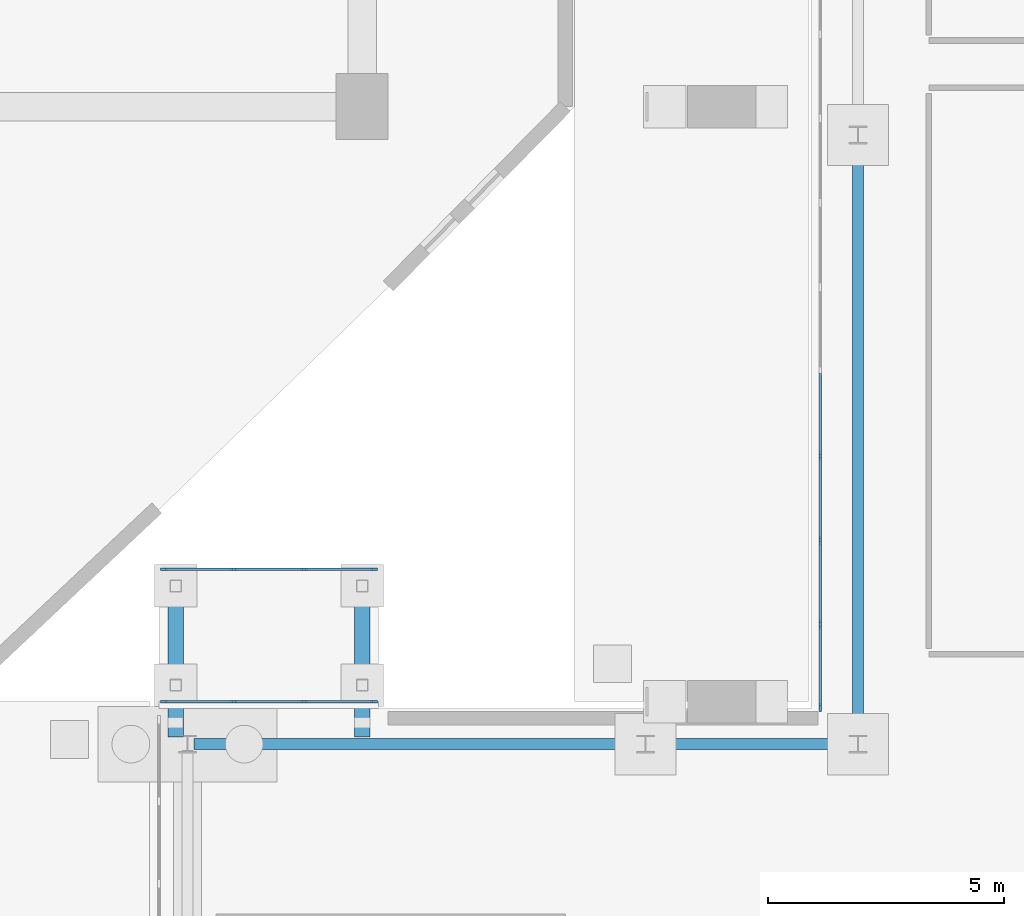
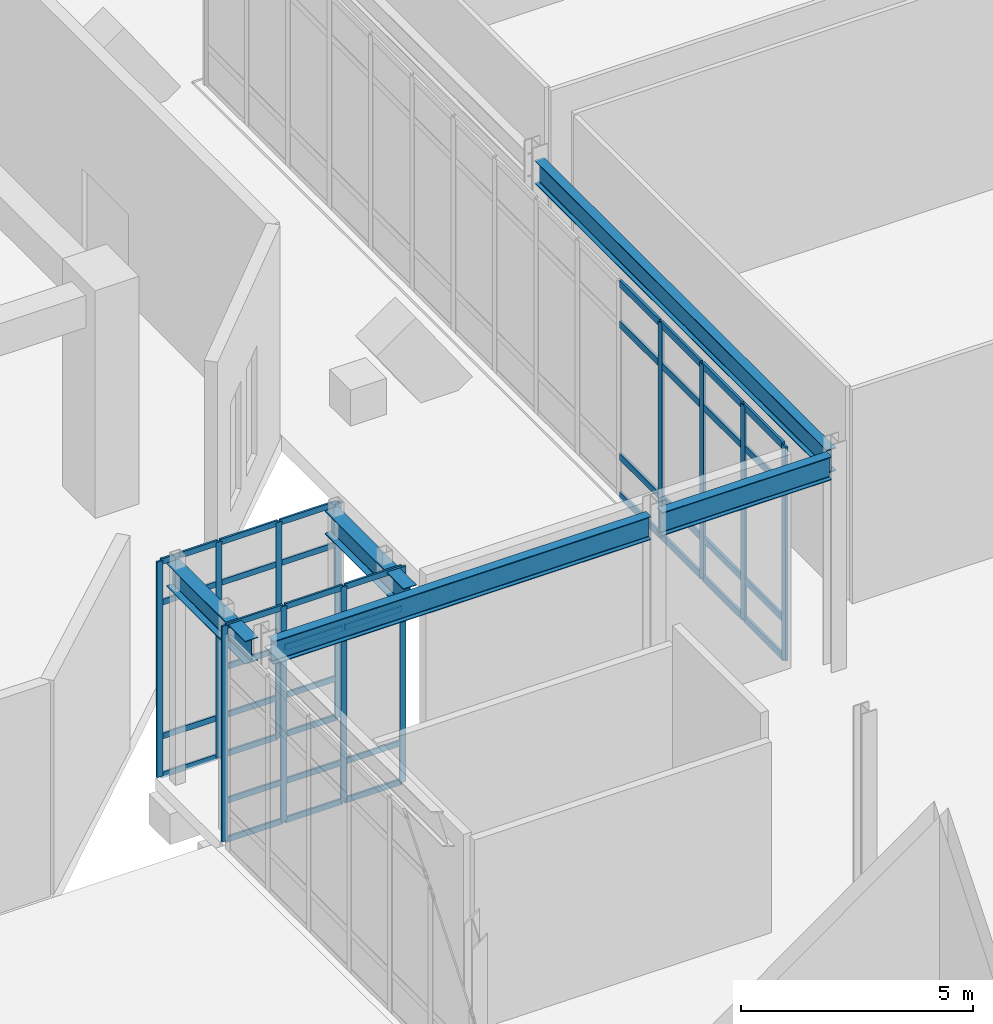
# One storey, part 35 of 143: 52 members, 5 beams, 3 elements without a shape of their own.
"""IFC4 building model written with IfcOpenShell, lengths in metres."""

from ifc_helpers import new_model, si_unit, derived_unit, direction, frame, origin, origin_2d, place, context, subcontext, project, spatial, rectangle, i_section, extrude, material, layer, layer_set, material_profile, profile_set, type_object, element, aggregate, save


model = new_model("IFC4")

# Units and contexts
model_context = context("Model", 3, precision=1e-05, world=origin(), true_north=direction((0.0, 1.0)))
body_context = subcontext(model_context, "Body", "Model", "MODEL_VIEW")
ifc_project = project(units=[si_unit("LENGTHUNIT", "METRE"), si_unit("AREAUNIT", "SQUARE_METRE"), si_unit("VOLUMEUNIT", "CUBIC_METRE"), si_unit("PLANEANGLEUNIT", "RADIAN"), si_unit("MASSUNIT", "GRAM", prefix="KILO"), derived_unit("THERMALTRANSMITTANCEUNIT", [(si_unit("MASSUNIT", "GRAM", prefix="KILO"), 1), (si_unit("TIMEUNIT", "SECOND"), -3), (si_unit("THERMODYNAMICTEMPERATUREUNIT", "KELVIN"), -1)])], contexts=[model_context])

# Site, building, storey
site_placement = place(None, origin())
site = spatial("IfcSite", under=ifc_project, at=site_placement, CompositionType="ELEMENT")
building_placement = place(site_placement, origin())
building = spatial("IfcBuilding", under=site, at=building_placement, Name="Valcora Ridge Arena", CompositionType="ELEMENT")
storey_placement = place(building_placement, origin())
storey = spatial("IfcBuildingStorey", under=building, at=storey_placement, Name="L00", CompositionType="ELEMENT", Elevation=0.0)

# Beams
ifc_material_1 = material(Name="Steel ASTM A572 Grade 50", Category="steel")
ifc_material_profile_1 = material_profile(ifc_material_1, i_section(OverallWidth=0.324951171875, OverallDepth=0.612060546875, WebThickness=0.0126953125, FlangeThickness=0.01904296875, FilletRadius=0.01806640625, at=origin_2d()), Name="W24X104")
ifc_profile_set_1 = profile_set([ifc_material_profile_1], Name="Steel ASTM A572 Grade 50")
beam_type_1 = type_object("IfcBeamType", Name="TY-BEAM-B-SJ1", PredefinedType="BEAM", material=ifc_profile_set_1)
for number, where, z_axis, x_axis, name in (
    (1, (98.550048828125, 19.25, 5.3740234375), (0.0, 1.0, 0.0), (-1.0, 0.0, 0.0), "B-SJ1 BEM-SJ-B-SJ1-0001"),
    (2, (102.5, 19.25, 5.3740234375), (0.0, 1.0, 0.0), (-1.0, 0.0, 0.0), "B-SJ1 BEM-SJ-B-SJ1-0002"),
):
    element("IfcBeam", number, at=place(storey_placement, frame(where, z_axis=z_axis, x_axis=x_axis)), inside=storey, type_object=beam_type_1, Name=name, PredefinedType="BEAM", context=body_context, shape_type="SweptSolid", body=[
        extrude(i_section(OverallWidth=0.324951171875, OverallDepth=0.612060546875, WebThickness=0.0126953125, FlangeThickness=0.01904296875, FilletRadius=0.01806640625, at=origin_2d()), origin(), (0.0, 0.0, 1.0), 3.39990234375),
    ])
ifc_material_profile_2 = material_profile(ifc_material_1, i_section(OverallWidth=0.22900390625, OverallDepth=0.612060546875, WebThickness=0.011962890625, FlangeThickness=0.01953125, FilletRadius=0.01806640625, at=origin_2d()), Name="W24X84")
ifc_profile_set_2 = profile_set([ifc_material_profile_2], Name="Steel ASTM A572 Grade 50")
beam_type_2 = type_object("IfcBeamType", Name="TY-BEAM-G-W24X84-X", PredefinedType="BEAM", material=ifc_profile_set_2)
beam_1_placement = place(storey_placement, frame((98.93994140625, 19.10009765625, 5.333984375), z_axis=(1.0, 0.0, 0.0), x_axis=(0.0, 1.0, 0.0)))
element("IfcBeam", 3, at=beam_1_placement, inside=storey, type_object=beam_type_2, Name="G-W24X84-X BEM-G-W24X84-X-0002", PredefinedType="BEAM", context=body_context, shape_type="SweptSolid", body=[
    extrude(i_section(OverallWidth=0.22900390625, OverallDepth=0.612060546875, WebThickness=0.011962890625, FlangeThickness=0.01953125, FilletRadius=0.01806640625, at=origin_2d()), origin(), (0.0, 0.0, 1.0), 9.420166015625),
])
beam_2_placement = place(storey_placement, frame((108.639892578125, 19.10009765625, 5.333984375), z_axis=(1.0, 0.0, 0.0), x_axis=(0.0, 1.0, 0.0)))
element("IfcBeam", 4, at=beam_2_placement, inside=storey, type_object=beam_type_2, Name="G-W24X84-X BEM-G-W24X84-X-0003", PredefinedType="BEAM", context=body_context, shape_type="SweptSolid", body=[
    extrude(i_section(OverallWidth=0.22900390625, OverallDepth=0.612060546875, WebThickness=0.011962890625, FlangeThickness=0.01953125, FilletRadius=0.01806640625, at=origin_2d()), origin(), (0.0, 0.0, 1.0), 4.22021484375),
])
ifc_material_profile_3 = material_profile(ifc_material_1, i_section(OverallWidth=0.22900390625, OverallDepth=0.612060546875, WebThickness=0.011962890625, FlangeThickness=0.01953125, FilletRadius=0.01806640625, at=origin_2d()), Name="W24X84")
ifc_profile_set_3 = profile_set([ifc_material_profile_3], Name="Steel ASTM A572 Grade 50")
beam_type_3 = type_object("IfcBeamType", Name="TY-BEAM-G-W24X84-Y", PredefinedType="BEAM", material=ifc_profile_set_3)
beam_3_placement = place(storey_placement, frame((113.0, 19.239990234375, 5.333984375), z_axis=(0.0, 1.0, 0.0), x_axis=(-1.0, 0.0, 0.0)))
element("IfcBeam", 5, at=beam_3_placement, inside=storey, type_object=beam_type_3, Name="G-W24X84-Y BEM-G-W24X84-Y-0003", PredefinedType="BEAM", context=body_context, shape_type="SweptSolid", body=[
    extrude(i_section(OverallWidth=0.22900390625, OverallDepth=0.612060546875, WebThickness=0.011962890625, FlangeThickness=0.01953125, FilletRadius=0.01806640625, at=origin_2d()), origin(), (0.0, 0.0, 1.0), 12.6201171875),
])

# Curtain wall, members
ifc_material_2 = material(Name="Anodised dark bronze architectural aluminium 6063-T6", Category="aluminium")
ifc_layer_1 = layer(ifc_material_2, 0.14990234375, Name="Anodised dark bronze architectural aluminium 6063-T6")
ifc_layer_set_1 = layer_set([ifc_layer_1], Name="Anodised dark bronze architectural aluminium 6063-T6")
curtain_wall_type_1 = type_object("IfcCurtainWallType", Name="TY-CURTAINWALL-CW-BRG-045X57", PredefinedType="NOTDEFINED", material=ifc_layer_set_1)
curtain_wall_1_placement = place(storey_placement, origin())
curtain_wall_1 = element("IfcCurtainWall", 6, at=curtain_wall_1_placement, inside=storey, type_object=curtain_wall_type_1, Name="CW-BRG-045X57 CW-0346", PredefinedType="NOTDEFINED")
ifc_material_profile_4 = material_profile(ifc_material_2, rectangle(XDim=0.050048828125, YDim=0.14990234375, at=origin_2d()), Name="ALU MULLION 50x150")
ifc_profile_set_4 = profile_set([ifc_material_profile_4], Name="Anodised dark bronze architectural aluminium 6063-T6")
member_type_1 = type_object("IfcMemberType", Name="TY-MEM-CWM-50x150", PredefinedType="MULLION", material=ifc_profile_set_4)
member_1_placement = place(storey_placement, frame((98.304931640625, 20.0, 0.0), z_axis=(0.0, 0.0, 1.0), x_axis=(0.0, 1.0, 0.0)))
member_1 = element("IfcMember", 7, at=member_1_placement, type_object=member_type_1, Name="CW-0346/CWM-50x150/M00", PredefinedType="MULLION", context=body_context, shape_type="SweptSolid", body=[
    extrude(rectangle(XDim=0.050048828125, YDim=0.14990234375, at=origin_2d()), origin(), (0.0, 0.0, 1.0), 5.679931640625),
])
member_2_placement = place(storey_placement, frame((99.776611328125, 20.0, 0.0), z_axis=(0.0, 0.0, 1.0), x_axis=(0.0, 1.0, 0.0)))
member_2 = element("IfcMember", 8, at=member_2_placement, type_object=member_type_1, Name="CW-0346/CWM-50x150/M01", PredefinedType="MULLION", context=body_context, shape_type="SweptSolid", body=[
    extrude(rectangle(XDim=0.050048828125, YDim=0.14990234375, at=origin_2d()), origin(), (0.0, 0.0, 1.0), 5.679931640625),
])
member_3_placement = place(storey_placement, frame((101.273193359375, 20.0, 0.0), z_axis=(0.0, 0.0, 1.0), x_axis=(0.0, 1.0, 0.0)))
member_3 = element("IfcMember", 9, at=member_3_placement, type_object=member_type_1, Name="CW-0346/CWM-50x150/M02", PredefinedType="MULLION", context=body_context, shape_type="SweptSolid", body=[
    extrude(rectangle(XDim=0.050048828125, YDim=0.14990234375, at=origin_2d()), origin(), (0.0, 0.0, 1.0), 5.679931640625),
])
member_4_placement = place(storey_placement, frame((102.7451171875, 20.0, 0.0), z_axis=(0.0, 0.0, 1.0), x_axis=(0.0, 1.0, 0.0)))
member_4 = element("IfcMember", 10, at=member_4_placement, type_object=member_type_1, Name="CW-0346/CWM-50x150/M03", PredefinedType="MULLION", context=body_context, shape_type="SweptSolid", body=[
    extrude(rectangle(XDim=0.050048828125, YDim=0.14990234375, at=origin_2d()), origin(), (0.0, 0.0, 1.0), 5.679931640625),
])

curtain_wall_2_placement = place(storey_placement, origin())
curtain_wall_2 = element("IfcCurtainWall", 11, at=curtain_wall_2_placement, inside=storey, type_object=curtain_wall_type_1, Name="CW-BRG-045X57 CW-0347", PredefinedType="NOTDEFINED")
member_5_placement = place(storey_placement, frame((98.304931640625, 22.800048828125, 0.0), z_axis=(0.0, 0.0, 1.0), x_axis=(0.0, 1.0, 0.0)))
member_5 = element("IfcMember", 12, at=member_5_placement, type_object=member_type_1, Name="CW-0347/CWM-50x150/M00", PredefinedType="MULLION", context=body_context, shape_type="SweptSolid", body=[
    extrude(rectangle(XDim=0.050048828125, YDim=0.14990234375, at=origin_2d()), origin(), (0.0, 0.0, 1.0), 5.679931640625),
])
member_6_placement = place(storey_placement, frame((99.776611328125, 22.800048828125, 0.0), z_axis=(0.0, 0.0, 1.0), x_axis=(0.0, 1.0, 0.0)))
member_6 = element("IfcMember", 13, at=member_6_placement, type_object=member_type_1, Name="CW-0347/CWM-50x150/M01", PredefinedType="MULLION", context=body_context, shape_type="SweptSolid", body=[
    extrude(rectangle(XDim=0.050048828125, YDim=0.14990234375, at=origin_2d()), origin(), (0.0, 0.0, 1.0), 5.679931640625),
])
member_7_placement = place(storey_placement, frame((101.273193359375, 22.800048828125, 0.0), z_axis=(0.0, 0.0, 1.0), x_axis=(0.0, 1.0, 0.0)))
member_7 = element("IfcMember", 14, at=member_7_placement, type_object=member_type_1, Name="CW-0347/CWM-50x150/M02", PredefinedType="MULLION", context=body_context, shape_type="SweptSolid", body=[
    extrude(rectangle(XDim=0.050048828125, YDim=0.14990234375, at=origin_2d()), origin(), (0.0, 0.0, 1.0), 5.679931640625),
])
member_8_placement = place(storey_placement, frame((102.7451171875, 22.800048828125, 0.0), z_axis=(0.0, 0.0, 1.0), x_axis=(0.0, 1.0, 0.0)))
member_8 = element("IfcMember", 15, at=member_8_placement, type_object=member_type_1, Name="CW-0347/CWM-50x150/M03", PredefinedType="MULLION", context=body_context, shape_type="SweptSolid", body=[
    extrude(rectangle(XDim=0.050048828125, YDim=0.14990234375, at=origin_2d()), origin(), (0.0, 0.0, 1.0), 5.679931640625),
])

ifc_layer_2 = layer(ifc_material_2, 0.179931640625, Name="Anodised dark bronze architectural aluminium 6063-T6")
ifc_layer_set_2 = layer_set([ifc_layer_2], Name="Anodised dark bronze architectural aluminium 6063-T6")
curtain_wall_type_2 = type_object("IfcCurtainWallType", Name="TY-CURTAINWALL-CW-V3-LANCET-250X56", PredefinedType="NOTDEFINED", material=ifc_layer_set_2)
curtain_wall_3_placement = place(storey_placement, origin())
curtain_wall_3 = element("IfcCurtainWall", 16, at=curtain_wall_3_placement, inside=storey, type_object=curtain_wall_type_2, Name="CW-V3-LANCET-250X56 CW-0008", PredefinedType="NOTDEFINED")
ifc_material_profile_5 = material_profile(ifc_material_2, rectangle(XDim=0.06005859375, YDim=0.179931640625, at=origin_2d()), Name="ALU MULLION 60x180")
ifc_profile_set_5 = profile_set([ifc_material_profile_5], Name="Anodised dark bronze architectural aluminium 6063-T6")
member_type_2 = type_object("IfcMemberType", Name="TY-MEM-CWM-60x180", PredefinedType="MULLION", material=ifc_profile_set_5)
member_9_placement = place(storey_placement, frame((112.199951171875, 19.8798828125, 0.0), z_axis=(0.0, 0.0, 1.0), x_axis=(-1.0, 0.0, 0.0)))
member_9 = element("IfcMember", 17, at=member_9_placement, type_object=member_type_2, Name="CW-0008/CWM-60x180/M00", PredefinedType="MULLION", context=body_context, shape_type="SweptSolid", body=[
    extrude(rectangle(XDim=0.06005859375, YDim=0.179931640625, at=origin_2d()), origin(), (0.0, 0.0, 1.0), 5.639892578125),
])
member_10_placement = place(storey_placement, frame((112.199951171875, 21.6357421875, 0.0), z_axis=(0.0, 0.0, 1.0), x_axis=(-1.0, 0.0, 0.0)))
member_10 = element("IfcMember", 18, at=member_10_placement, type_object=member_type_2, Name="CW-0008/CWM-60x180/M01", PredefinedType="MULLION", context=body_context, shape_type="SweptSolid", body=[
    extrude(rectangle(XDim=0.06005859375, YDim=0.179931640625, at=origin_2d()), origin(), (0.0, 0.0, 1.0), 5.639892578125),
])
member_11_placement = place(storey_placement, frame((112.199951171875, 23.42138671875, 0.0), z_axis=(0.0, 0.0, 1.0), x_axis=(-1.0, 0.0, 0.0)))
member_11 = element("IfcMember", 19, at=member_11_placement, type_object=member_type_2, Name="CW-0008/CWM-60x180/M02", PredefinedType="MULLION", context=body_context, shape_type="SweptSolid", body=[
    extrude(rectangle(XDim=0.06005859375, YDim=0.179931640625, at=origin_2d()), origin(), (0.0, 0.0, 1.0), 5.639892578125),
])
member_12_placement = place(storey_placement, frame((112.199951171875, 25.20703125, 0.0), z_axis=(0.0, 0.0, 1.0), x_axis=(-1.0, 0.0, 0.0)))
member_12 = element("IfcMember", 20, at=member_12_placement, type_object=member_type_2, Name="CW-0008/CWM-60x180/M03", PredefinedType="MULLION", context=body_context, shape_type="SweptSolid", body=[
    extrude(rectangle(XDim=0.06005859375, YDim=0.179931640625, at=origin_2d()), origin(), (0.0, 0.0, 1.0), 5.639892578125),
])

# Member
ifc_material_profile_6 = material_profile(ifc_material_2, rectangle(XDim=0.050048828125, YDim=0.14990234375, at=origin_2d()), Name="ALU TRANSOM 50x150")
ifc_profile_set_6 = profile_set([ifc_material_profile_6], Name="Anodised dark bronze architectural aluminium 6063-T6")
member_type_3 = type_object("IfcMemberType", Name="TY-MEM-CWT-50x150", PredefinedType="USERDEFINED", material=ifc_profile_set_6)
member_13_placement = place(storey_placement, frame((98.330078125, 20.0, 0.02490234375), z_axis=(1.0, 0.0, 0.0), x_axis=(0.0, 1.0, 0.0)))
member_13 = element("IfcMember", 21, at=member_13_placement, type_object=member_type_3, Name="CW-0346/CWT-50x150/T00-00", ObjectType="TRANSOM", PredefinedType="USERDEFINED", context=body_context, shape_type="SweptSolid", body=[
    extrude(rectangle(XDim=0.050048828125, YDim=0.14990234375, at=origin_2d()), origin(), (0.0, 0.0, 1.0), 1.421875),
])

member_14_placement = place(storey_placement, frame((98.330078125, 20.0, 1.050048828125), z_axis=(1.0, 0.0, 0.0), x_axis=(0.0, 1.0, 0.0)))
member_14 = element("IfcMember", 22, at=member_14_placement, type_object=member_type_3, Name="CW-0346/CWT-50x150/T00-01", ObjectType="TRANSOM", PredefinedType="USERDEFINED", context=body_context, shape_type="SweptSolid", body=[
    extrude(rectangle(XDim=0.050048828125, YDim=0.14990234375, at=origin_2d()), origin(), (0.0, 0.0, 1.0), 1.421875),
])

member_15_placement = place(storey_placement, frame((98.330078125, 20.0, 4.580078125), z_axis=(1.0, 0.0, 0.0), x_axis=(0.0, 1.0, 0.0)))
member_15 = element("IfcMember", 23, at=member_15_placement, type_object=member_type_3, Name="CW-0346/CWT-50x150/T00-02", ObjectType="TRANSOM", PredefinedType="USERDEFINED", context=body_context, shape_type="SweptSolid", body=[
    extrude(rectangle(XDim=0.050048828125, YDim=0.14990234375, at=origin_2d()), origin(), (0.0, 0.0, 1.0), 1.421875),
])

member_16_placement = place(storey_placement, frame((98.330078125, 20.0, 5.655029296875), z_axis=(1.0, 0.0, 0.0), x_axis=(0.0, 1.0, 0.0)))
member_16 = element("IfcMember", 24, at=member_16_placement, type_object=member_type_3, Name="CW-0346/CWT-50x150/T00-03", ObjectType="TRANSOM", PredefinedType="USERDEFINED", context=body_context, shape_type="SweptSolid", body=[
    extrude(rectangle(XDim=0.050048828125, YDim=0.14990234375, at=origin_2d()), origin(), (0.0, 0.0, 1.0), 1.421875),
])

member_17_placement = place(storey_placement, frame((99.802001953125, 20.0, 0.02490234375), z_axis=(1.0, 0.0, 0.0), x_axis=(0.0, 1.0, 0.0)))
member_17 = element("IfcMember", 25, at=member_17_placement, type_object=member_type_3, Name="CW-0346/CWT-50x150/T01-00", ObjectType="TRANSOM", PredefinedType="USERDEFINED", context=body_context, shape_type="SweptSolid", body=[
    extrude(rectangle(XDim=0.050048828125, YDim=0.14990234375, at=origin_2d()), origin(), (0.0, 0.0, 1.0), 1.446044921875),
])

member_18_placement = place(storey_placement, frame((99.802001953125, 20.0, 1.050048828125), z_axis=(1.0, 0.0, 0.0), x_axis=(0.0, 1.0, 0.0)))
member_18 = element("IfcMember", 26, at=member_18_placement, type_object=member_type_3, Name="CW-0346/CWT-50x150/T01-01", ObjectType="TRANSOM", PredefinedType="USERDEFINED", context=body_context, shape_type="SweptSolid", body=[
    extrude(rectangle(XDim=0.050048828125, YDim=0.14990234375, at=origin_2d()), origin(), (0.0, 0.0, 1.0), 1.446044921875),
])

member_19_placement = place(storey_placement, frame((99.802001953125, 20.0, 4.580078125), z_axis=(1.0, 0.0, 0.0), x_axis=(0.0, 1.0, 0.0)))
member_19 = element("IfcMember", 27, at=member_19_placement, type_object=member_type_3, Name="CW-0346/CWT-50x150/T01-02", ObjectType="TRANSOM", PredefinedType="USERDEFINED", context=body_context, shape_type="SweptSolid", body=[
    extrude(rectangle(XDim=0.050048828125, YDim=0.14990234375, at=origin_2d()), origin(), (0.0, 0.0, 1.0), 1.446044921875),
])

member_20_placement = place(storey_placement, frame((99.802001953125, 20.0, 5.655029296875), z_axis=(1.0, 0.0, 0.0), x_axis=(0.0, 1.0, 0.0)))
member_20 = element("IfcMember", 28, at=member_20_placement, type_object=member_type_3, Name="CW-0346/CWT-50x150/T01-03", ObjectType="TRANSOM", PredefinedType="USERDEFINED", context=body_context, shape_type="SweptSolid", body=[
    extrude(rectangle(XDim=0.050048828125, YDim=0.14990234375, at=origin_2d()), origin(), (0.0, 0.0, 1.0), 1.446044921875),
])

member_21_placement = place(storey_placement, frame((101.298095703125, 20.0, 0.02490234375), z_axis=(1.0, 0.0, 0.0), x_axis=(0.0, 1.0, 0.0)))
member_21 = element("IfcMember", 29, at=member_21_placement, type_object=member_type_3, Name="CW-0346/CWT-50x150/T02-00", ObjectType="TRANSOM", PredefinedType="USERDEFINED", context=body_context, shape_type="SweptSolid", body=[
    extrude(rectangle(XDim=0.050048828125, YDim=0.14990234375, at=origin_2d()), origin(), (0.0, 0.0, 1.0), 1.421875),
])

member_22_placement = place(storey_placement, frame((101.298095703125, 20.0, 1.050048828125), z_axis=(1.0, 0.0, 0.0), x_axis=(0.0, 1.0, 0.0)))
member_22 = element("IfcMember", 30, at=member_22_placement, type_object=member_type_3, Name="CW-0346/CWT-50x150/T02-01", ObjectType="TRANSOM", PredefinedType="USERDEFINED", context=body_context, shape_type="SweptSolid", body=[
    extrude(rectangle(XDim=0.050048828125, YDim=0.14990234375, at=origin_2d()), origin(), (0.0, 0.0, 1.0), 1.421875),
])

member_23_placement = place(storey_placement, frame((101.298095703125, 20.0, 4.580078125), z_axis=(1.0, 0.0, 0.0), x_axis=(0.0, 1.0, 0.0)))
member_23 = element("IfcMember", 31, at=member_23_placement, type_object=member_type_3, Name="CW-0346/CWT-50x150/T02-02", ObjectType="TRANSOM", PredefinedType="USERDEFINED", context=body_context, shape_type="SweptSolid", body=[
    extrude(rectangle(XDim=0.050048828125, YDim=0.14990234375, at=origin_2d()), origin(), (0.0, 0.0, 1.0), 1.421875),
])

member_24_placement = place(storey_placement, frame((101.298095703125, 20.0, 5.655029296875), z_axis=(1.0, 0.0, 0.0), x_axis=(0.0, 1.0, 0.0)))
member_24 = element("IfcMember", 32, at=member_24_placement, type_object=member_type_3, Name="CW-0346/CWT-50x150/T02-03", ObjectType="TRANSOM", PredefinedType="USERDEFINED", context=body_context, shape_type="SweptSolid", body=[
    extrude(rectangle(XDim=0.050048828125, YDim=0.14990234375, at=origin_2d()), origin(), (0.0, 0.0, 1.0), 1.421875),
])

aggregate(curtain_wall_1, [member_1, member_2, member_3, member_4, member_13, member_14, member_15, member_16, member_17, member_18, member_19, member_20, member_21, member_22, member_23, member_24])

member_25_placement = place(storey_placement, frame((98.330078125, 22.800048828125, 0.02490234375), z_axis=(1.0, 0.0, 0.0), x_axis=(0.0, 1.0, 0.0)))
member_25 = element("IfcMember", 33, at=member_25_placement, type_object=member_type_3, Name="CW-0347/CWT-50x150/T00-00", ObjectType="TRANSOM", PredefinedType="USERDEFINED", context=body_context, shape_type="SweptSolid", body=[
    extrude(rectangle(XDim=0.050048828125, YDim=0.14990234375, at=origin_2d()), origin(), (0.0, 0.0, 1.0), 1.421875),
])

member_26_placement = place(storey_placement, frame((98.330078125, 22.800048828125, 1.050048828125), z_axis=(1.0, 0.0, 0.0), x_axis=(0.0, 1.0, 0.0)))
member_26 = element("IfcMember", 34, at=member_26_placement, type_object=member_type_3, Name="CW-0347/CWT-50x150/T00-01", ObjectType="TRANSOM", PredefinedType="USERDEFINED", context=body_context, shape_type="SweptSolid", body=[
    extrude(rectangle(XDim=0.050048828125, YDim=0.14990234375, at=origin_2d()), origin(), (0.0, 0.0, 1.0), 1.421875),
])

member_27_placement = place(storey_placement, frame((98.330078125, 22.800048828125, 4.580078125), z_axis=(1.0, 0.0, 0.0), x_axis=(0.0, 1.0, 0.0)))
member_27 = element("IfcMember", 35, at=member_27_placement, type_object=member_type_3, Name="CW-0347/CWT-50x150/T00-02", ObjectType="TRANSOM", PredefinedType="USERDEFINED", context=body_context, shape_type="SweptSolid", body=[
    extrude(rectangle(XDim=0.050048828125, YDim=0.14990234375, at=origin_2d()), origin(), (0.0, 0.0, 1.0), 1.421875),
])

member_28_placement = place(storey_placement, frame((98.330078125, 22.800048828125, 5.655029296875), z_axis=(1.0, 0.0, 0.0), x_axis=(0.0, 1.0, 0.0)))
member_28 = element("IfcMember", 36, at=member_28_placement, type_object=member_type_3, Name="CW-0347/CWT-50x150/T00-03", ObjectType="TRANSOM", PredefinedType="USERDEFINED", context=body_context, shape_type="SweptSolid", body=[
    extrude(rectangle(XDim=0.050048828125, YDim=0.14990234375, at=origin_2d()), origin(), (0.0, 0.0, 1.0), 1.421875),
])

member_29_placement = place(storey_placement, frame((99.802001953125, 22.800048828125, 0.02490234375), z_axis=(1.0, 0.0, 0.0), x_axis=(0.0, 1.0, 0.0)))
member_29 = element("IfcMember", 37, at=member_29_placement, type_object=member_type_3, Name="CW-0347/CWT-50x150/T01-00", ObjectType="TRANSOM", PredefinedType="USERDEFINED", context=body_context, shape_type="SweptSolid", body=[
    extrude(rectangle(XDim=0.050048828125, YDim=0.14990234375, at=origin_2d()), origin(), (0.0, 0.0, 1.0), 1.446044921875),
])

member_30_placement = place(storey_placement, frame((99.802001953125, 22.800048828125, 1.050048828125), z_axis=(1.0, 0.0, 0.0), x_axis=(0.0, 1.0, 0.0)))
member_30 = element("IfcMember", 38, at=member_30_placement, type_object=member_type_3, Name="CW-0347/CWT-50x150/T01-01", ObjectType="TRANSOM", PredefinedType="USERDEFINED", context=body_context, shape_type="SweptSolid", body=[
    extrude(rectangle(XDim=0.050048828125, YDim=0.14990234375, at=origin_2d()), origin(), (0.0, 0.0, 1.0), 1.446044921875),
])

member_31_placement = place(storey_placement, frame((99.802001953125, 22.800048828125, 4.580078125), z_axis=(1.0, 0.0, 0.0), x_axis=(0.0, 1.0, 0.0)))
member_31 = element("IfcMember", 39, at=member_31_placement, type_object=member_type_3, Name="CW-0347/CWT-50x150/T01-02", ObjectType="TRANSOM", PredefinedType="USERDEFINED", context=body_context, shape_type="SweptSolid", body=[
    extrude(rectangle(XDim=0.050048828125, YDim=0.14990234375, at=origin_2d()), origin(), (0.0, 0.0, 1.0), 1.446044921875),
])

member_32_placement = place(storey_placement, frame((99.802001953125, 22.800048828125, 5.655029296875), z_axis=(1.0, 0.0, 0.0), x_axis=(0.0, 1.0, 0.0)))
member_32 = element("IfcMember", 40, at=member_32_placement, type_object=member_type_3, Name="CW-0347/CWT-50x150/T01-03", ObjectType="TRANSOM", PredefinedType="USERDEFINED", context=body_context, shape_type="SweptSolid", body=[
    extrude(rectangle(XDim=0.050048828125, YDim=0.14990234375, at=origin_2d()), origin(), (0.0, 0.0, 1.0), 1.446044921875),
])

member_33_placement = place(storey_placement, frame((101.298095703125, 22.800048828125, 0.02490234375), z_axis=(1.0, 0.0, 0.0), x_axis=(0.0, 1.0, 0.0)))
member_33 = element("IfcMember", 41, at=member_33_placement, type_object=member_type_3, Name="CW-0347/CWT-50x150/T02-00", ObjectType="TRANSOM", PredefinedType="USERDEFINED", context=body_context, shape_type="SweptSolid", body=[
    extrude(rectangle(XDim=0.050048828125, YDim=0.14990234375, at=origin_2d()), origin(), (0.0, 0.0, 1.0), 1.421875),
])

member_34_placement = place(storey_placement, frame((101.298095703125, 22.800048828125, 1.050048828125), z_axis=(1.0, 0.0, 0.0), x_axis=(0.0, 1.0, 0.0)))
member_34 = element("IfcMember", 42, at=member_34_placement, type_object=member_type_3, Name="CW-0347/CWT-50x150/T02-01", ObjectType="TRANSOM", PredefinedType="USERDEFINED", context=body_context, shape_type="SweptSolid", body=[
    extrude(rectangle(XDim=0.050048828125, YDim=0.14990234375, at=origin_2d()), origin(), (0.0, 0.0, 1.0), 1.421875),
])

member_35_placement = place(storey_placement, frame((101.298095703125, 22.800048828125, 4.580078125), z_axis=(1.0, 0.0, 0.0), x_axis=(0.0, 1.0, 0.0)))
member_35 = element("IfcMember", 43, at=member_35_placement, type_object=member_type_3, Name="CW-0347/CWT-50x150/T02-02", ObjectType="TRANSOM", PredefinedType="USERDEFINED", context=body_context, shape_type="SweptSolid", body=[
    extrude(rectangle(XDim=0.050048828125, YDim=0.14990234375, at=origin_2d()), origin(), (0.0, 0.0, 1.0), 1.421875),
])

member_36_placement = place(storey_placement, frame((101.298095703125, 22.800048828125, 5.655029296875), z_axis=(1.0, 0.0, 0.0), x_axis=(0.0, 1.0, 0.0)))
member_36 = element("IfcMember", 44, at=member_36_placement, type_object=member_type_3, Name="CW-0347/CWT-50x150/T02-03", ObjectType="TRANSOM", PredefinedType="USERDEFINED", context=body_context, shape_type="SweptSolid", body=[
    extrude(rectangle(XDim=0.050048828125, YDim=0.14990234375, at=origin_2d()), origin(), (0.0, 0.0, 1.0), 1.421875),
])

aggregate(curtain_wall_2, [member_5, member_6, member_7, member_8, member_25, member_26, member_27, member_28, member_29, member_30, member_31, member_32, member_33, member_34, member_35, member_36])

ifc_material_profile_7 = material_profile(ifc_material_2, rectangle(XDim=0.06005859375, YDim=0.179931640625, at=origin_2d()), Name="ALU TRANSOM 60x180")
ifc_profile_set_7 = profile_set([ifc_material_profile_7], Name="Anodised dark bronze architectural aluminium 6063-T6")
member_type_4 = type_object("IfcMemberType", Name="TY-MEM-CWT-60x180", PredefinedType="USERDEFINED", material=ifc_profile_set_7)
member_37_placement = place(storey_placement, frame((112.199951171875, 19.909912109375, 0.030029296875), z_axis=(0.0, 1.0, 0.0), x_axis=(-1.0, 0.0, 0.0)))
member_37 = element("IfcMember", 45, at=member_37_placement, type_object=member_type_4, Name="CW-0008/CWT-60x180/T00-00", ObjectType="TRANSOM", PredefinedType="USERDEFINED", context=body_context, shape_type="SweptSolid", body=[
    extrude(rectangle(XDim=0.06005859375, YDim=0.179931640625, at=origin_2d()), origin(), (0.0, 0.0, 1.0), 1.696044921875),
])

member_38_placement = place(storey_placement, frame((112.199951171875, 19.909912109375, 1.050048828125), z_axis=(0.0, 1.0, 0.0), x_axis=(-1.0, 0.0, 0.0)))
member_38 = element("IfcMember", 46, at=member_38_placement, type_object=member_type_4, Name="CW-0008/CWT-60x180/T00-01", ObjectType="TRANSOM", PredefinedType="USERDEFINED", context=body_context, shape_type="SweptSolid", body=[
    extrude(rectangle(XDim=0.06005859375, YDim=0.179931640625, at=origin_2d()), origin(), (0.0, 0.0, 1.0), 1.696044921875),
])

member_39_placement = place(storey_placement, frame((112.199951171875, 19.909912109375, 4.5400390625), z_axis=(0.0, 1.0, 0.0), x_axis=(-1.0, 0.0, 0.0)))
member_39 = element("IfcMember", 47, at=member_39_placement, type_object=member_type_4, Name="CW-0008/CWT-60x180/T00-02", ObjectType="TRANSOM", PredefinedType="USERDEFINED", context=body_context, shape_type="SweptSolid", body=[
    extrude(rectangle(XDim=0.06005859375, YDim=0.179931640625, at=origin_2d()), origin(), (0.0, 0.0, 1.0), 1.696044921875),
])

member_40_placement = place(storey_placement, frame((112.199951171875, 19.909912109375, 5.610107421875), z_axis=(0.0, 1.0, 0.0), x_axis=(-1.0, 0.0, 0.0)))
member_40 = element("IfcMember", 48, at=member_40_placement, type_object=member_type_4, Name="CW-0008/CWT-60x180/T00-03", ObjectType="TRANSOM", PredefinedType="USERDEFINED", context=body_context, shape_type="SweptSolid", body=[
    extrude(rectangle(XDim=0.06005859375, YDim=0.179931640625, at=origin_2d()), origin(), (0.0, 0.0, 1.0), 1.696044921875),
])

member_41_placement = place(storey_placement, frame((112.199951171875, 21.666015625, 0.030029296875), z_axis=(0.0, 1.0, 0.0), x_axis=(-1.0, 0.0, 0.0)))
member_41 = element("IfcMember", 49, at=member_41_placement, type_object=member_type_4, Name="CW-0008/CWT-60x180/T01-00", ObjectType="TRANSOM", PredefinedType="USERDEFINED", context=body_context, shape_type="SweptSolid", body=[
    extrude(rectangle(XDim=0.06005859375, YDim=0.179931640625, at=origin_2d()), origin(), (0.0, 0.0, 1.0), 1.72509765625),
])

member_42_placement = place(storey_placement, frame((112.199951171875, 21.666015625, 1.050048828125), z_axis=(0.0, 1.0, 0.0), x_axis=(-1.0, 0.0, 0.0)))
member_42 = element("IfcMember", 50, at=member_42_placement, type_object=member_type_4, Name="CW-0008/CWT-60x180/T01-01", ObjectType="TRANSOM", PredefinedType="USERDEFINED", context=body_context, shape_type="SweptSolid", body=[
    extrude(rectangle(XDim=0.06005859375, YDim=0.179931640625, at=origin_2d()), origin(), (0.0, 0.0, 1.0), 1.72509765625),
])

member_43_placement = place(storey_placement, frame((112.199951171875, 21.666015625, 4.5400390625), z_axis=(0.0, 1.0, 0.0), x_axis=(-1.0, 0.0, 0.0)))
member_43 = element("IfcMember", 51, at=member_43_placement, type_object=member_type_4, Name="CW-0008/CWT-60x180/T01-02", ObjectType="TRANSOM", PredefinedType="USERDEFINED", context=body_context, shape_type="SweptSolid", body=[
    extrude(rectangle(XDim=0.06005859375, YDim=0.179931640625, at=origin_2d()), origin(), (0.0, 0.0, 1.0), 1.72509765625),
])

member_44_placement = place(storey_placement, frame((112.199951171875, 21.666015625, 5.610107421875), z_axis=(0.0, 1.0, 0.0), x_axis=(-1.0, 0.0, 0.0)))
member_44 = element("IfcMember", 52, at=member_44_placement, type_object=member_type_4, Name="CW-0008/CWT-60x180/T01-03", ObjectType="TRANSOM", PredefinedType="USERDEFINED", context=body_context, shape_type="SweptSolid", body=[
    extrude(rectangle(XDim=0.06005859375, YDim=0.179931640625, at=origin_2d()), origin(), (0.0, 0.0, 1.0), 1.72509765625),
])

member_45_placement = place(storey_placement, frame((112.199951171875, 23.450927734375, 0.030029296875), z_axis=(0.0, 1.0, 0.0), x_axis=(-1.0, 0.0, 0.0)))
member_45 = element("IfcMember", 53, at=member_45_placement, type_object=member_type_4, Name="CW-0008/CWT-60x180/T02-00", ObjectType="TRANSOM", PredefinedType="USERDEFINED", context=body_context, shape_type="SweptSolid", body=[
    extrude(rectangle(XDim=0.06005859375, YDim=0.179931640625, at=origin_2d()), origin(), (0.0, 0.0, 1.0), 1.72607421875),
])

member_46_placement = place(storey_placement, frame((112.199951171875, 23.450927734375, 1.050048828125), z_axis=(0.0, 1.0, 0.0), x_axis=(-1.0, 0.0, 0.0)))
member_46 = element("IfcMember", 54, at=member_46_placement, type_object=member_type_4, Name="CW-0008/CWT-60x180/T02-01", ObjectType="TRANSOM", PredefinedType="USERDEFINED", context=body_context, shape_type="SweptSolid", body=[
    extrude(rectangle(XDim=0.06005859375, YDim=0.179931640625, at=origin_2d()), origin(), (0.0, 0.0, 1.0), 1.72607421875),
])

member_47_placement = place(storey_placement, frame((112.199951171875, 23.450927734375, 4.5400390625), z_axis=(0.0, 1.0, 0.0), x_axis=(-1.0, 0.0, 0.0)))
member_47 = element("IfcMember", 55, at=member_47_placement, type_object=member_type_4, Name="CW-0008/CWT-60x180/T02-02", ObjectType="TRANSOM", PredefinedType="USERDEFINED", context=body_context, shape_type="SweptSolid", body=[
    extrude(rectangle(XDim=0.06005859375, YDim=0.179931640625, at=origin_2d()), origin(), (0.0, 0.0, 1.0), 1.72607421875),
])

member_48_placement = place(storey_placement, frame((112.199951171875, 23.450927734375, 5.610107421875), z_axis=(0.0, 1.0, 0.0), x_axis=(-1.0, 0.0, 0.0)))
member_48 = element("IfcMember", 56, at=member_48_placement, type_object=member_type_4, Name="CW-0008/CWT-60x180/T02-03", ObjectType="TRANSOM", PredefinedType="USERDEFINED", context=body_context, shape_type="SweptSolid", body=[
    extrude(rectangle(XDim=0.06005859375, YDim=0.179931640625, at=origin_2d()), origin(), (0.0, 0.0, 1.0), 1.72607421875),
])

member_49_placement = place(storey_placement, frame((112.199951171875, 25.237060546875, 0.030029296875), z_axis=(0.0, 1.0, 0.0), x_axis=(-1.0, 0.0, 0.0)))
member_49 = element("IfcMember", 57, at=member_49_placement, type_object=member_type_4, Name="CW-0008/CWT-60x180/T03-00", ObjectType="TRANSOM", PredefinedType="USERDEFINED", context=body_context, shape_type="SweptSolid", body=[
    extrude(rectangle(XDim=0.06005859375, YDim=0.179931640625, at=origin_2d()), origin(), (0.0, 0.0, 1.0), 1.725830078125),
])

member_50_placement = place(storey_placement, frame((112.199951171875, 25.237060546875, 1.050048828125), z_axis=(0.0, 1.0, 0.0), x_axis=(-1.0, 0.0, 0.0)))
member_50 = element("IfcMember", 58, at=member_50_placement, type_object=member_type_4, Name="CW-0008/CWT-60x180/T03-01", ObjectType="TRANSOM", PredefinedType="USERDEFINED", context=body_context, shape_type="SweptSolid", body=[
    extrude(rectangle(XDim=0.06005859375, YDim=0.179931640625, at=origin_2d()), origin(), (0.0, 0.0, 1.0), 1.725830078125),
])

member_51_placement = place(storey_placement, frame((112.199951171875, 25.237060546875, 4.5400390625), z_axis=(0.0, 1.0, 0.0), x_axis=(-1.0, 0.0, 0.0)))
member_51 = element("IfcMember", 59, at=member_51_placement, type_object=member_type_4, Name="CW-0008/CWT-60x180/T03-02", ObjectType="TRANSOM", PredefinedType="USERDEFINED", context=body_context, shape_type="SweptSolid", body=[
    extrude(rectangle(XDim=0.06005859375, YDim=0.179931640625, at=origin_2d()), origin(), (0.0, 0.0, 1.0), 1.725830078125),
])

member_52_placement = place(storey_placement, frame((112.199951171875, 25.237060546875, 5.610107421875), z_axis=(0.0, 1.0, 0.0), x_axis=(-1.0, 0.0, 0.0)))
member_52 = element("IfcMember", 60, at=member_52_placement, type_object=member_type_4, Name="CW-0008/CWT-60x180/T03-03", ObjectType="TRANSOM", PredefinedType="USERDEFINED", context=body_context, shape_type="SweptSolid", body=[
    extrude(rectangle(XDim=0.06005859375, YDim=0.179931640625, at=origin_2d()), origin(), (0.0, 0.0, 1.0), 1.725830078125),
])

aggregate(curtain_wall_3, [member_9, member_10, member_11, member_12, member_37, member_38, member_39, member_40, member_41, member_42, member_43, member_44, member_45, member_46, member_47, member_48, member_49, member_50, member_51, member_52])

save(model, "model.ifc")
